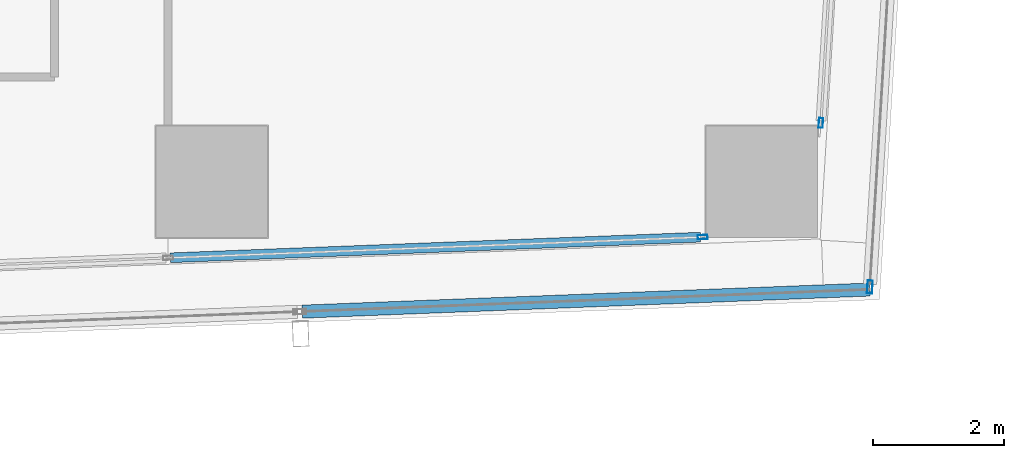
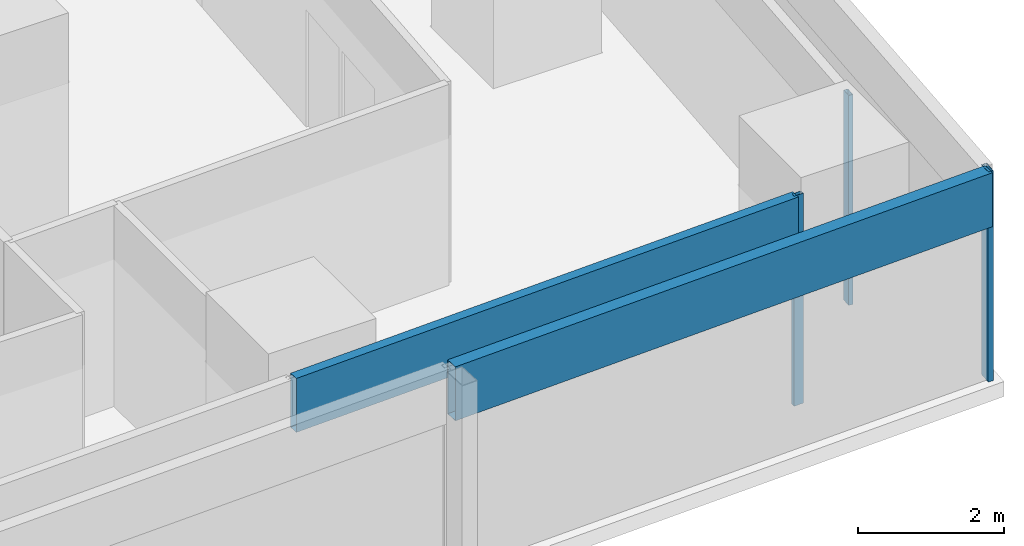
# One storey, part 12 of 40: 5 members, 4 elements without a shape of their own.
"""IFC4 building model written with IfcOpenShell, lengths in metres."""

from ifc_helpers import new_model, si_unit, direction, frame, origin, origin_2d, place, context, subcontext, project, spatial, hollow_rectangle, extrude, material, material_profile, profile_set, type_object, element, aggregate, save


model = new_model("IFC4")

# Units and contexts
model_context = context("Model", 3, precision=1e-05, world=origin(), true_north=direction((0.0, 1.0)))
body_context = subcontext(model_context, "Body", "Model", "MODEL_VIEW")
ifc_project = project(units=[si_unit("LENGTHUNIT", "METRE"), si_unit("AREAUNIT", "SQUARE_METRE"), si_unit("VOLUMEUNIT", "CUBIC_METRE"), si_unit("PLANEANGLEUNIT", "RADIAN"), si_unit("MASSUNIT", "GRAM", prefix="KILO")], contexts=[model_context])

# Site, building, storey
site_placement = place(None, origin())
site = spatial("IfcSite", under=ifc_project, at=site_placement, CompositionType="ELEMENT")
building_placement = place(site_placement, origin())
building = spatial("IfcBuilding", under=site, at=building_placement, Name="Rekha Terrace Tower", CompositionType="ELEMENT")
storey_placement = place(building_placement, frame((0.0, 0.0, 117.800048828125)))
storey = spatial("IfcBuildingStorey", under=building, at=storey_placement, Name="L29", CompositionType="ELEMENT", Elevation=117.800048828125)

# Curtain wall, member
ifc_material_1 = material(Name="Aluminium framing", Category="aluminium")
curtain_wall_type_1 = type_object("IfcCurtainWallType", Name="CW1 double skin inner glazing", PredefinedType="USERDEFINED", material=ifc_material_1)
curtain_wall_1_placement = place(storey_placement, origin())
curtain_wall_1 = element("IfcCurtainWall", 1, at=curtain_wall_1_placement, inside=storey, type_object=curtain_wall_type_1, Name="CW1 double skin inner glazing", ObjectType="DOUBLE SKIN INNER GLAZING", PredefinedType="USERDEFINED")
ifc_material_2 = material(Name="Aluminium mullion section", Category="aluminium")
ifc_material_profile_1 = material_profile(ifc_material_2, hollow_rectangle(XDim=0.06494140625, YDim=0.14990234375, WallThickness=0.00390625, at=origin_2d()), Name="AL RHS 65x150")
ifc_profile_set_1 = profile_set([ifc_material_profile_1], Name="Aluminium mullion section")
member_type_1 = type_object("IfcMemberType", Name="CW1 mullion RHS 65 x 150", PredefinedType="MULLION", material=ifc_profile_set_1)
member_1_placement = place(storey_placement, frame((66.29736328125, 15.95556640625, 0.0), z_axis=(0.0, 0.0, 1.0), x_axis=(-0.038889971345, 0.999243498917, 0.0)))
member_1 = element("IfcMember", 2, at=member_1_placement, type_object=member_type_1, Name="CW1 mullion 6", PredefinedType="MULLION", context=body_context, shape_type="SweptSolid", body=[
    extrude(hollow_rectangle(XDim=0.06494140625, YDim=0.14990234375, WallThickness=0.00390625, at=origin_2d()), origin(), (0.0, 0.0, 1.0), 3.5),
])

curtain_wall_2_placement = place(storey_placement, origin())
curtain_wall_2 = element("IfcCurtainWall", 3, at=curtain_wall_2_placement, inside=storey, type_object=curtain_wall_type_1, Name="CW1 double skin inner glazing", ObjectType="DOUBLE SKIN INNER GLAZING", PredefinedType="USERDEFINED")
member_2_placement = place(storey_placement, frame((68.103515625, 17.69921875, 0.0), z_axis=(0.0, 0.0, 1.0), x_axis=(-0.998127987024, 0.061159803131, 0.0)))
member_2 = element("IfcMember", 4, at=member_2_placement, type_object=member_type_1, Name="CW1 mullion 1", PredefinedType="MULLION", context=body_context, shape_type="SweptSolid", body=[
    extrude(hollow_rectangle(XDim=0.06494140625, YDim=0.14990234375, WallThickness=0.00390625, at=origin_2d()), origin(), (0.0, 0.0, 1.0), 3.5),
])
aggregate(curtain_wall_2, [member_2])

# Member
ifc_material_3 = material(Name="Insulated aluminium spandrel box", Category="aluminium")
ifc_material_profile_2 = material_profile(ifc_material_3, hollow_rectangle(XDim=0.14990234375, YDim=0.89990234375, WallThickness=0.0029296875, at=origin_2d()), Name="AL SPANDREL BOX 150x900")
ifc_profile_set_2 = profile_set([ifc_material_profile_2], Name="Insulated aluminium spandrel box")
member_type_2 = type_object("IfcMemberType", Name="CW1 spandrel transom 150 x 900", PredefinedType="USERDEFINED", material=ifc_profile_set_2)
member_3_placement = place(storey_placement, frame((58.165771484375, 15.63916015625, 3.050048828125), z_axis=(0.999243585207, 0.038887754153, 0.0), x_axis=(-0.038887754153, 0.999243585207, 0.0)))
member_3 = element("IfcMember", 5, at=member_3_placement, type_object=member_type_2, Name="CW1 spandrel transom 5", ObjectType="TRANSOM", PredefinedType="USERDEFINED", context=body_context, shape_type="SweptSolid", body=[
    extrude(hollow_rectangle(XDim=0.14990234375, YDim=0.89990234375, WallThickness=0.0029296875, at=origin_2d()), origin(), (0.0, 0.0, 1.0), 8.10498046875),
])

aggregate(curtain_wall_1, [member_1, member_3])

# Curtain wall, member
curtain_wall_type_2 = type_object("IfcCurtainWallType", Name="CW2 double skin outer glazing", PredefinedType="USERDEFINED", material=ifc_material_1)
curtain_wall_3_placement = place(storey_placement, origin())
curtain_wall_3 = element("IfcCurtainWall", 6, at=curtain_wall_3_placement, inside=storey, type_object=curtain_wall_type_2, Name="CW2 double skin outer glazing", ObjectType="DOUBLE SKIN OUTER GLAZING", PredefinedType="USERDEFINED")
ifc_material_profile_3 = material_profile(ifc_material_2, hollow_rectangle(XDim=0.080078125, YDim=0.199951171875, WallThickness=0.00390625, at=origin_2d()), Name="AL RHS 80x200")
ifc_profile_set_3 = profile_set([ifc_material_profile_3], Name="Aluminium mullion section")
member_type_3 = type_object("IfcMemberType", Name="CW2 mullion RHS 80 x 200", PredefinedType="MULLION", material=ifc_profile_set_3)
member_4_placement = place(storey_placement, frame((68.8515625, 15.194091796875, 0.0), z_axis=(0.0, 0.0, 1.0), x_axis=(-0.998127987024, 0.061159803131, 0.0)))
member_4 = element("IfcMember", 7, at=member_4_placement, type_object=member_type_3, Name="CW2 mullion 1", PredefinedType="MULLION", context=body_context, shape_type="SweptSolid", body=[
    extrude(hollow_rectangle(XDim=0.080078125, YDim=0.199951171875, WallThickness=0.00390625, at=origin_2d()), origin(), (0.0, 0.0, 1.0), 3.5),
])
aggregate(curtain_wall_3, [member_4])

curtain_wall_4_placement = place(storey_placement, origin())
curtain_wall_4 = element("IfcCurtainWall", 8, at=curtain_wall_4_placement, inside=storey, type_object=curtain_wall_type_2, Name="CW2 double skin outer glazing", ObjectType="DOUBLE SKIN OUTER GLAZING", PredefinedType="USERDEFINED")
ifc_material_profile_4 = material_profile(ifc_material_3, hollow_rectangle(XDim=0.199951171875, YDim=0.89990234375, WallThickness=0.0029296875, at=origin_2d()), Name="AL SPANDREL BOX 200x900")
ifc_profile_set_4 = profile_set([ifc_material_profile_4], Name="Insulated aluminium spandrel box")
member_type_4 = type_object("IfcMemberType", Name="CW2 spandrel transom 200 x 900", PredefinedType="USERDEFINED", material=ifc_profile_set_4)
member_5_placement = place(storey_placement, frame((60.18408203125, 14.81689453125, 3.050048828125), z_axis=(0.99924276334, 0.038908866757, 0.0), x_axis=(-0.038908866757, 0.99924276334, 0.0)))
member_5 = element("IfcMember", 9, at=member_5_placement, type_object=member_type_4, Name="CW2 spandrel transom 5", ObjectType="TRANSOM", PredefinedType="USERDEFINED", context=body_context, shape_type="SweptSolid", body=[
    extrude(hollow_rectangle(XDim=0.199951171875, YDim=0.89990234375, WallThickness=0.0029296875, at=origin_2d()), origin(), (0.0, 0.0, 1.0), 8.671630859375),
])
aggregate(curtain_wall_4, [member_5])

save(model, "model.ifc")
